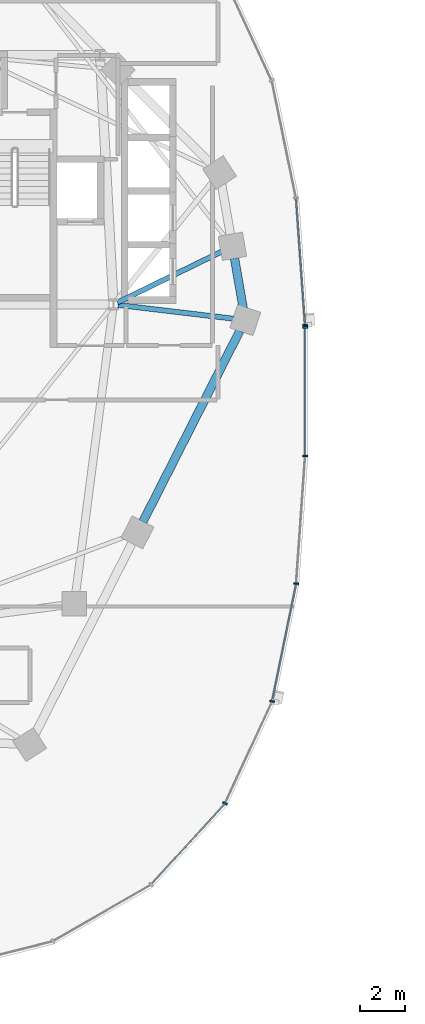
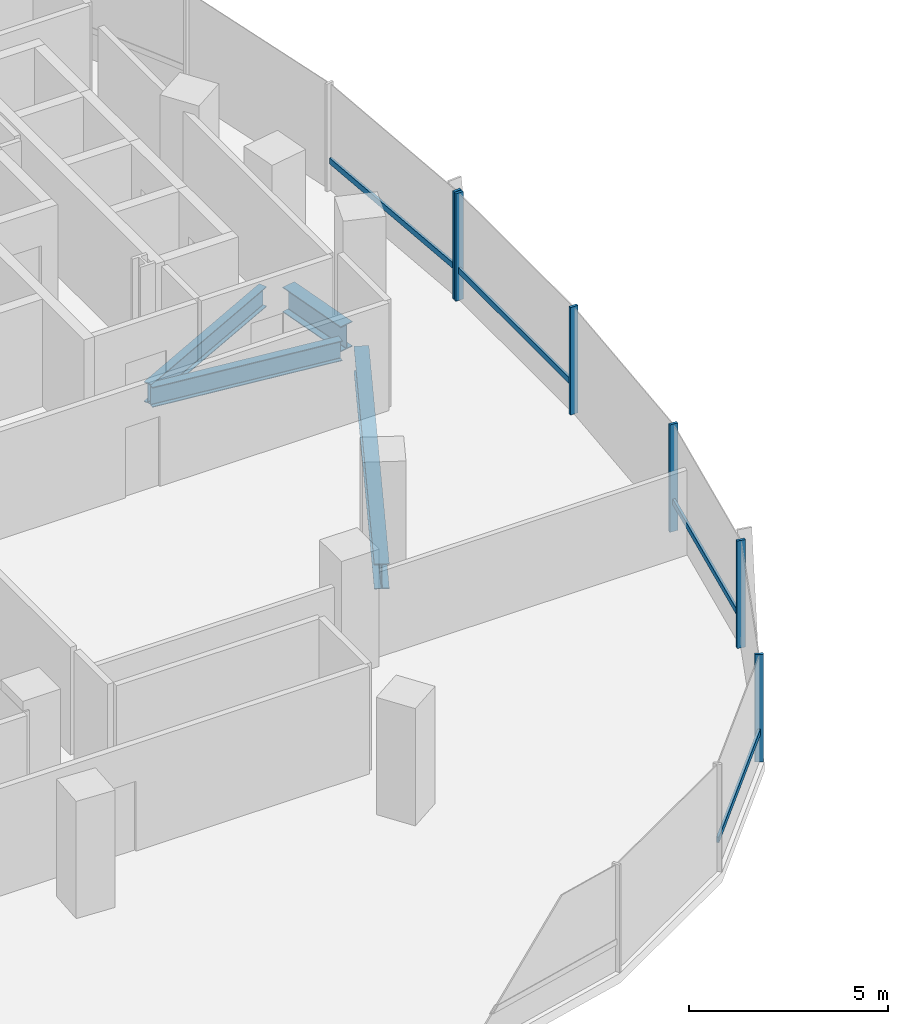
# One storey, part 3 of 21: 10 members, 4 beams, 2 elements without a shape of their own.
"""IFC4 building model written with IfcOpenShell, lengths in metres."""

from ifc_helpers import new_model, si_unit, direction, frame, origin, origin_2d, place, context, subcontext, project, spatial, rectangle, i_section, extrude, material, material_profile, profile_set, type_object, element, aggregate, save


model = new_model("IFC4")

# Units and contexts
model_context = context("Model", 3, precision=1e-05, world=origin(), true_north=direction((0.0, 1.0)))
body_context = subcontext(model_context, "Body", "Model", "MODEL_VIEW")
ifc_project = project(units=[si_unit("LENGTHUNIT", "METRE"), si_unit("AREAUNIT", "SQUARE_METRE"), si_unit("VOLUMEUNIT", "CUBIC_METRE"), si_unit("PLANEANGLEUNIT", "RADIAN"), si_unit("MASSUNIT", "GRAM", prefix="KILO"), si_unit("THERMODYNAMICTEMPERATUREUNIT", "KELVIN"), si_unit("POWERUNIT", "WATT")], contexts=[model_context])

# Site, building, storey
site_placement = place(None, origin())
site = spatial("IfcSite", under=ifc_project, at=site_placement, CompositionType="ELEMENT")
building_placement = place(site_placement, origin())
building = spatial("IfcBuilding", under=site, at=building_placement, Name="Cundina Bronze Exchange", CompositionType="ELEMENT")
storey_placement = place(building_placement, frame((0.0, 0.0, 99.800048828125)))
storey = spatial("IfcBuildingStorey", under=building, at=storey_placement, Name="L25", CompositionType="ELEMENT", Elevation=99.800048828125)

# Beams
ifc_material_1 = material(Name="Steel ASTM A992 Grade 50", Category="steel")
ifc_material_profile_1 = material_profile(ifc_material_1, i_section(OverallWidth=0.22998046875, OverallDepth=0.616943359375, WebThickness=0.01318359375, FlangeThickness=0.022216796875, FilletRadius=0.013916015625, at=origin_2d()), Name="W24X94", Category="steel")
ifc_profile_set_1 = profile_set([ifc_material_profile_1], Name="Steel ASTM A992 Grade 50")
beam_type_1 = type_object("IfcBeamType", Name="BM-FLR-W24B", PredefinedType="BEAM", material=ifc_profile_set_1)
beam_1_placement = place(storey_placement, frame((-21.247314453125, 3.8759765625, -0.608642578125), z_axis=(0.993035701683, -0.117813815752, 0.0), x_axis=(0.117813815752, 0.993035701683, 0.0)))
element("IfcBeam", 1, at=beam_1_placement, inside=storey, type_object=beam_type_1, Name="L25 Leg W Radial Floor Beam 00", PredefinedType="BEAM", context=body_context, shape_type="SweptSolid", body=[
    extrude(i_section(OverallWidth=0.22998046875, OverallDepth=0.616943359375, WebThickness=0.01318359375, FlangeThickness=0.022216796875, FilletRadius=0.013916015625, at=origin_2d()), origin(), (0.0, 0.0, 1.0), 5.19921875),
])
beam_2_placement = place(storey_placement, frame((-21.2666015625, 3.989501953125, -0.608642578125), z_axis=(0.898607246385, 0.438753936443, 0.0), x_axis=(-0.438753936443, 0.898607246385, 0.0)))
element("IfcBeam", 2, at=beam_2_placement, inside=storey, type_object=beam_type_1, Name="L25 Leg W Radial Floor Beam 01", PredefinedType="BEAM", context=body_context, shape_type="SweptSolid", body=[
    extrude(i_section(OverallWidth=0.22998046875, OverallDepth=0.616943359375, WebThickness=0.01318359375, FlangeThickness=0.022216796875, FilletRadius=0.013916015625, at=origin_2d()), origin(), (0.0, 0.0, 1.0), 5.183837890625),
])
ifc_material_profile_2 = material_profile(ifc_material_1, i_section(OverallWidth=0.381103515625, OverallDepth=0.77294921875, WebThickness=0.0166015625, FlangeThickness=0.027099609375, FilletRadius=0.01904296875, at=origin_2d()), Name="W30X173", Category="steel")
ifc_profile_set_2 = profile_set([ifc_material_profile_2], Name="Steel ASTM A992 Grade 50")
beam_type_2 = type_object("IfcBeamType", Name="BM-RING-W30", PredefinedType="USERDEFINED", material=ifc_profile_set_2)
beam_3_placement = place(storey_placement, frame((-15.642333984375, 3.72998046875, -0.6865234375), z_axis=(-0.171690078326, 0.985151012284, 0.0), x_axis=(-0.985151012284, -0.171690078326, 0.0)))
element("IfcBeam", 3, at=beam_3_placement, inside=storey, type_object=beam_type_2, Name="L25 W Perimeter Ring Girder 00", ObjectType="GIRDER", PredefinedType="USERDEFINED", context=body_context, shape_type="SweptSolid", body=[
    extrude(i_section(OverallWidth=0.381103515625, OverallDepth=0.77294921875, WebThickness=0.0166015625, FlangeThickness=0.027099609375, FilletRadius=0.01904296875, at=origin_2d()), origin(), (0.0, 0.0, 1.0), 2.273681640625),
])
beam_4_placement = place(storey_placement, frame((-20.13134765625, -5.8203125, -0.6865234375), z_axis=(0.452832332744, 0.891595692241, 0.0), x_axis=(-0.891595692241, 0.452832332744, 0.0)))
element("IfcBeam", 4, at=beam_4_placement, inside=storey, type_object=beam_type_2, Name="L25 W Perimeter Ring Girder 13", ObjectType="GIRDER", PredefinedType="USERDEFINED", context=body_context, shape_type="SweptSolid", body=[
    extrude(i_section(OverallWidth=0.381103515625, OverallDepth=0.77294921875, WebThickness=0.0166015625, FlangeThickness=0.027099609375, FilletRadius=0.01904296875, at=origin_2d()), origin(), (0.0, 0.0, 1.0), 9.578857421875),
])

# Curtain wall, member
ifc_material_2 = material(Name="Anodised Bronze Aluminium 6063-T6", Category="aluminium")
curtain_wall_type = type_object("IfcCurtainWallType", Name="CWS-TRD-MID", PredefinedType="NOTDEFINED", material=ifc_material_2)
curtain_wall_1_placement = place(storey_placement, origin())
curtain_wall_1 = element("IfcCurtainWall", 5, at=curtain_wall_1_placement, inside=storey, type_object=curtain_wall_type, Name="L25 CW-03 Curtain Wall Run CWR-L25-W1", PredefinedType="NOTDEFINED")
ifc_material_profile_3 = material_profile(ifc_material_2, rectangle(XDim=0.074951171875, YDim=0.219970703125, at=origin_2d()), Name="AL75X220", Category="aluminium")
ifc_profile_set_3 = profile_set([ifc_material_profile_3], Name="Anodised Bronze Aluminium 6063-T6")
member_type_1 = type_object("IfcMemberType", Name="CWM-MUL-220", PredefinedType="MULLION", material=ifc_profile_set_3)
member_1_placement = place(storey_placement, frame((-12.87548828125, 2.976318359375, 0.0), z_axis=(0.0, 0.0, 1.0), x_axis=(-0.070278787473, 0.997527389113, 0.0)))
member_1 = element("IfcMember", 6, at=member_1_placement, type_object=member_type_1, Name="CW-03 Mullion 1", PredefinedType="MULLION", context=body_context, shape_type="SweptSolid", body=[
    extrude(rectangle(XDim=0.074951171875, YDim=0.219970703125, at=origin_2d()), origin(), (0.0, 0.0, 1.0), 3.300048828125),
])

# Curtain wall, members
curtain_wall_2_placement = place(storey_placement, origin())
curtain_wall_2 = element("IfcCurtainWall", 7, at=curtain_wall_2_placement, inside=storey, type_object=curtain_wall_type, Name="L25 CW-03 Curtain Wall Run CWR-L25-W4", PredefinedType="NOTDEFINED")
member_2_placement = place(storey_placement, frame((-16.455810546875, -18.423583984375, 0.0), z_axis=(0.0, 0.0, 1.0), x_axis=(0.42087749791, 0.907117485088, 0.0)))
member_2 = element("IfcMember", 8, at=member_2_placement, type_object=member_type_1, Name="CW-03 Mullion 4", PredefinedType="MULLION", context=body_context, shape_type="SweptSolid", body=[
    extrude(rectangle(XDim=0.074951171875, YDim=0.219970703125, at=origin_2d()), origin(), (0.0, 0.0, 1.0), 3.300048828125),
])
member_3_placement = place(storey_placement, frame((-14.348876953125, -13.861328125, 0.0), z_axis=(0.0, 0.0, 1.0), x_axis=(0.201419845156, 0.979505000486, 0.0)))
member_3 = element("IfcMember", 9, at=member_3_placement, type_object=member_type_1, Name="CW-03 Mullion 5", PredefinedType="MULLION", context=body_context, shape_type="SweptSolid", body=[
    extrude(rectangle(XDim=0.074951171875, YDim=0.219970703125, at=origin_2d()), origin(), (0.0, 0.0, 1.0), 3.300048828125),
])
member_4_placement = place(storey_placement, frame((-13.27099609375, -8.591552734375, 0.0), z_axis=(0.0, 0.0, 1.0), x_axis=(0.070278787473, 0.997527389113, 0.0)))
member_4 = element("IfcMember", 10, at=member_4_placement, type_object=member_type_1, Name="CW-03 Mullion 6", PredefinedType="MULLION", context=body_context, shape_type="SweptSolid", body=[
    extrude(rectangle(XDim=0.074951171875, YDim=0.219970703125, at=origin_2d()), origin(), (0.0, 0.0, 1.0), 3.300048828125),
])
member_5_placement = place(storey_placement, frame((-12.8720703125, -2.880615234375, 0.0), z_axis=(0.0, 0.0, 1.0), x_axis=(0.0, 1.0, 0.0)))
member_5 = element("IfcMember", 11, at=member_5_placement, type_object=member_type_1, Name="CW-03 Mullion 7", PredefinedType="MULLION", context=body_context, shape_type="SweptSolid", body=[
    extrude(rectangle(XDim=0.074951171875, YDim=0.219970703125, at=origin_2d()), origin(), (0.0, 0.0, 1.0), 3.300048828125),
])
member_6_placement = place(storey_placement, frame((-12.8720703125, 2.880615234375, 0.0), z_axis=(0.0, 0.0, 1.0), x_axis=(0.0, 1.0, 0.0)))
member_6 = element("IfcMember", 12, at=member_6_placement, type_object=member_type_1, Name="CW-03 End Mullion", PredefinedType="MULLION", context=body_context, shape_type="SweptSolid", body=[
    extrude(rectangle(XDim=0.074951171875, YDim=0.219970703125, at=origin_2d()), origin(), (0.0, 0.0, 1.0), 3.300048828125),
])

# Member
ifc_material_profile_4 = material_profile(ifc_material_2, rectangle(XDim=0.070068359375, YDim=0.179931640625, at=origin_2d()), Name="AL70X180", Category="aluminium")
ifc_profile_set_4 = profile_set([ifc_material_profile_4], Name="Anodised Bronze Aluminium 6063-T6")
member_type_2 = type_object("IfcMemberType", Name="CWM-TRN-180", PredefinedType="USERDEFINED", material=ifc_profile_set_4)
member_7_placement = place(storey_placement, frame((-12.87841796875, 3.017333984375, 0.919921875), z_axis=(-0.070260714471, 0.997528662246, 0.0), x_axis=(-0.997528662246, -0.070260714471, 0.0)))
member_7 = element("IfcMember", 13, at=member_7_placement, type_object=member_type_2, Name="CW-03 Spandrel Transom 1", ObjectType="TRANSOM", PredefinedType="USERDEFINED", context=body_context, shape_type="SweptSolid", body=[
    extrude(rectangle(XDim=0.070068359375, YDim=0.179931640625, at=origin_2d()), origin(), (0.0, 0.0, 1.0), 5.629150390625),
])

aggregate(curtain_wall_1, [member_1, member_7])

member_8_placement = place(storey_placement, frame((-19.73291015625, -22.027099609375, 0.919921875), z_axis=(0.674302794847, 0.738454968743, 0.0), x_axis=(-0.738454968743, 0.674302794847, 0.0)))
member_8 = element("IfcMember", 14, at=member_8_placement, type_object=member_type_2, Name="CW-03 Spandrel Transom 3", ObjectType="TRANSOM", PredefinedType="USERDEFINED", context=body_context, shape_type="SweptSolid", body=[
    extrude(rectangle(XDim=0.070068359375, YDim=0.179931640625, at=origin_2d()), origin(), (0.0, 0.0, 1.0), 4.848388671875),
])

member_9_placement = place(storey_placement, frame((-14.340576171875, -13.821044921875, 0.919921875), z_axis=(0.201427712708, 0.979503382615, 0.0), x_axis=(-0.979503382615, 0.201427712708, 0.0)))
member_9 = element("IfcMember", 15, at=member_9_placement, type_object=member_type_2, Name="CW-03 Spandrel Transom 5", ObjectType="TRANSOM", PredefinedType="USERDEFINED", context=body_context, shape_type="SweptSolid", body=[
    extrude(rectangle(XDim=0.070068359375, YDim=0.179931640625, at=origin_2d()), origin(), (0.0, 0.0, 1.0), 5.291748046875),
])

member_10_placement = place(storey_placement, frame((-12.8720703125, -2.839111328125, 0.919921875), z_axis=(0.0, 1.0, 0.0), x_axis=(-1.0, 0.0, 0.0)))
member_10 = element("IfcMember", 16, at=member_10_placement, type_object=member_type_2, Name="CW-03 Spandrel Transom 7", ObjectType="TRANSOM", PredefinedType="USERDEFINED", context=body_context, shape_type="SweptSolid", body=[
    extrude(rectangle(XDim=0.070068359375, YDim=0.179931640625, at=origin_2d()), origin(), (0.0, 0.0, 1.0), 5.67822265625),
])

aggregate(curtain_wall_2, [member_8, member_2, member_3, member_9, member_4, member_5, member_6, member_10])

save(model, "model.ifc")
